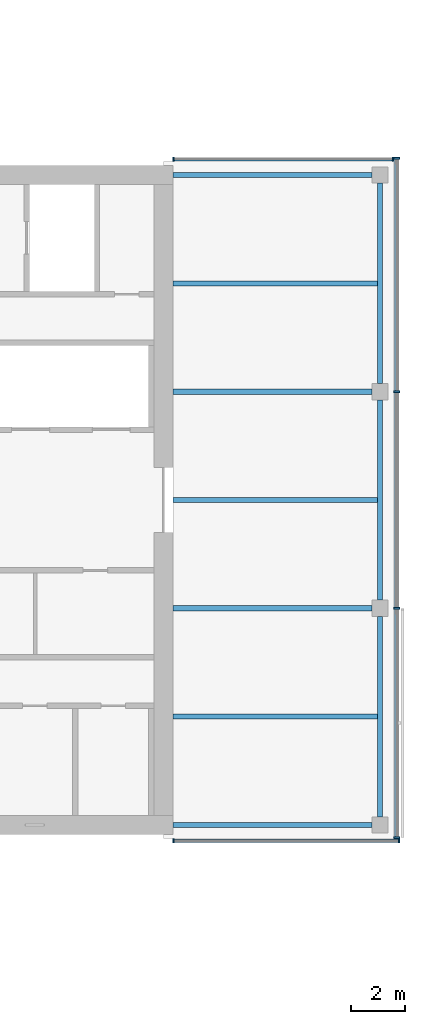
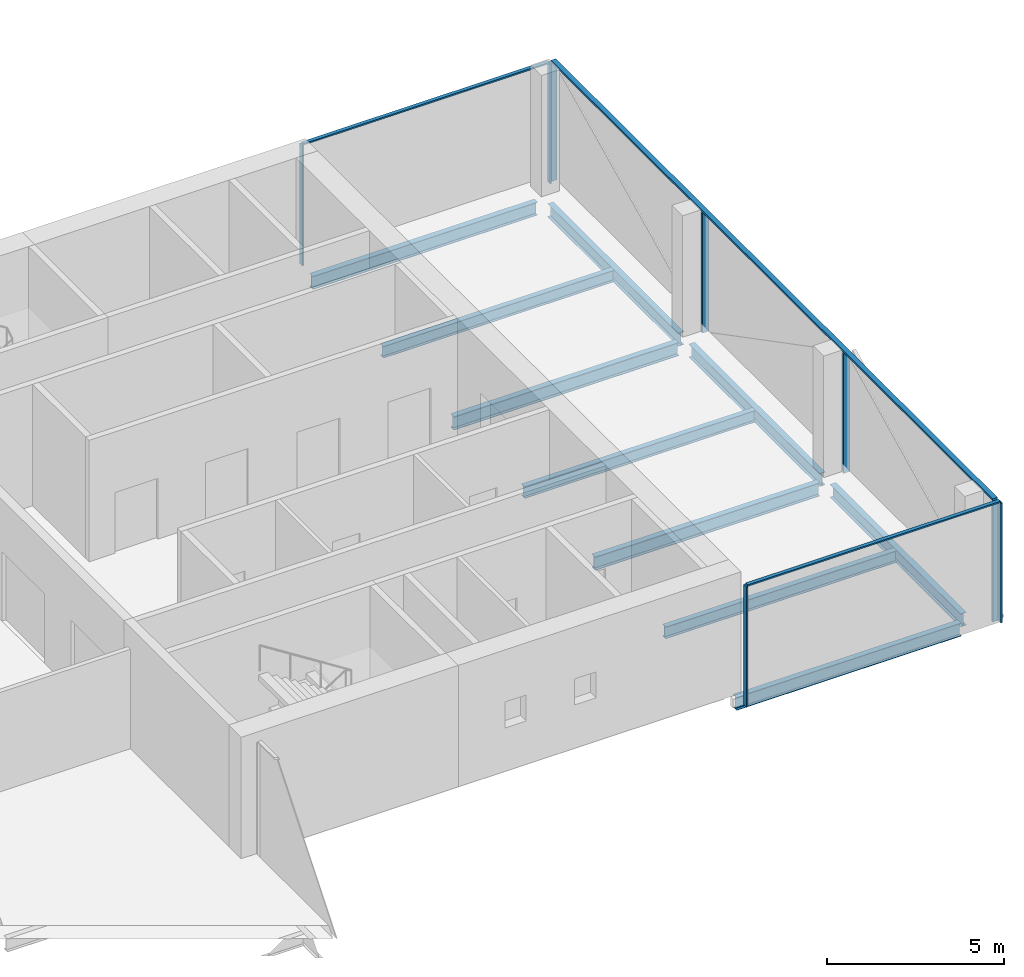
# One storey, part 11 of 22: 11 members, 10 beams, 3 elements without a shape of their own.
"""IFC4 building model written with IfcOpenShell, lengths in metres."""

import ifcopenshell
import ifcopenshell.guid

model = None  # the IFC model being written
_history = None  # IfcOwnerHistory: only IFC2X3 demands one
_inside = {}  # id of a spatial element -> (the spatial element, [elements in it])
_under = {}  # id of a project, library or spatial element -> (it, [spatial elements below it])
_declared = {}  # id of a project -> (the project, [libraries it declares])
_typed = {}  # id of a type object -> (the type object, [elements of that type])
_made_of = {}  # id of a material, layer set ... -> (it, [elements and type objects made of it])


def new_model(schema):
    """Start an empty IFC model of exactly this schema.

    Asked for "IFC4X3", IfcOpenShell would pick the latest addendum, in which some entities
    have other attributes; the version numbers below select the first issue.
    IFC2X3 requires an IfcOwnerHistory on every rooted entity: one is made here for all.
    """
    global model, _history
    if schema == "IFC4X3":
        model = ifcopenshell.file(schema_version=(4, 3, 0, 0))
    else:
        model = ifcopenshell.file(schema=schema)
    _inside.clear()
    _under.clear()
    _declared.clear()
    _typed.clear()
    _made_of.clear()
    _history = None
    if model.schema == "IFC2X3":
        org = make("IfcOrganization", Name="unknown")
        user = make(
            "IfcPersonAndOrganization",
            ThePerson=make("IfcPerson", FamilyName="unknown"),
            TheOrganization=org,
        )
        app = make(
            "IfcApplication",
            ApplicationDeveloper=org,
            Version="unknown",
            ApplicationFullName="unknown",
            ApplicationIdentifier="unknown",
        )
        _history = make(
            "IfcOwnerHistory",
            OwningUser=user,
            OwningApplication=app,
            ChangeAction="ADDED",
            CreationDate=0,
        )
    return model


def make(cls, **values):
    """One entity of the class cls with the attributes given. An attribute that is None is left unset."""
    return model.create_entity(
        cls, **{name: value for name, value in values.items() if value is not None}
    )


def rooted(cls, **values):
    """An entity with a GlobalId (a new one), such as an element, a storey or a relation."""
    return make(cls, GlobalId=ifcopenshell.guid.new(), OwnerHistory=_history, **values)


def si_unit(unit_type, name, prefix=None):
    """IfcSIUnit, for example si_unit("LENGTHUNIT", "METRE", prefix="MILLI")."""
    return make("IfcSIUnit", UnitType=unit_type, Prefix=prefix, Name=name)


def assignment(units):
    """IfcUnitAssignment: the units of a project."""
    return None if units is None else make("IfcUnitAssignment", Units=units)


def point(xyz):
    """IfcCartesianPoint."""
    return None if xyz is None else make("IfcCartesianPoint", Coordinates=xyz)


def direction(xyz):
    """IfcDirection."""
    return None if xyz is None else make("IfcDirection", DirectionRatios=xyz)


def frame(location, z_axis=None, x_axis=None):
    """IfcAxis2Placement3D, a coordinate frame: its origin and axes. An axis left out is left unset."""
    return make(
        "IfcAxis2Placement3D",
        Location=point(location),
        Axis=direction(z_axis),
        RefDirection=direction(x_axis),
    )


def frame_2d(location, x_axis=None):
    """IfcAxis2Placement2D, a coordinate frame in the plane: its origin and x axis."""
    return make(
        "IfcAxis2Placement2D", Location=point(location), RefDirection=direction(x_axis)
    )


def origin():
    """The frame at (0, 0, 0) with its axes left unset."""
    return frame((0.0, 0.0, 0.0))


def origin_2d():
    """The frame at (0, 0) in the plane with its x axis left unset."""
    return frame_2d((0.0, 0.0))


def place(relative_to, where):
    """IfcLocalPlacement: puts the frame where relative to a parent placement (None: the world)."""
    return make(
        "IfcLocalPlacement", PlacementRelTo=relative_to, RelativePlacement=where
    )


def context(
    kind, dimensions, precision=None, world=None, true_north=None, identifier=None
):
    """IfcGeometricRepresentationContext, for example the 3D "Model" context."""
    return make(
        "IfcGeometricRepresentationContext",
        ContextIdentifier=identifier,
        ContextType=kind,
        CoordinateSpaceDimension=dimensions,
        Precision=precision,
        WorldCoordinateSystem=world,
        TrueNorth=true_north,
    )


def subcontext(parent, identifier, kind, view, scale=None):
    """IfcGeometricRepresentationSubContext, for example "Body" below "Model"."""
    return make(
        "IfcGeometricRepresentationSubContext",
        ContextIdentifier=identifier,
        ContextType=kind,
        ParentContext=parent,
        TargetScale=scale,
        TargetView=view,
    )


def project(units=None, contexts=None):
    """IfcProject with its units and contexts."""
    return rooted(
        "IfcProject",
        Name="project",
        RepresentationContexts=contexts,
        UnitsInContext=assignment(units),
    )


def spatial(cls, under=None, at=None, **own):
    """A site, building, storey or space (cls), placed at a placement, below another one or the project."""
    s = rooted(cls, ObjectPlacement=at, **own)
    if under is not None:
        _under.setdefault(under.id(), (under, []))[1].append(s)
    return s


def profile(cls, at=None, kind="AREA", **sizes):
    """A parametric profile (cls). Its sizes go by their IFC names, for example OverallWidth=200.0."""
    return make(cls, ProfileType=kind, Position=at, **sizes)


def rectangle(**sizes):
    """IfcRectangleProfileDef."""
    return profile("IfcRectangleProfileDef", **sizes)


def i_section(**sizes):
    """IfcIShapeProfileDef."""
    return profile("IfcIShapeProfileDef", **sizes)


def extrude(swept, where, along, depth):
    """IfcExtrudedAreaSolid: the profile swept, set in the frame where, extruded along a direction by depth."""
    return make(
        "IfcExtrudedAreaSolid",
        SweptArea=swept,
        Position=where,
        ExtrudedDirection=direction(along),
        Depth=depth,
    )


def shape(context_of_items, identifier, shape_type, items):
    """IfcShapeRepresentation: the items that make up one representation, for example the "Body"."""
    return make(
        "IfcShapeRepresentation",
        ContextOfItems=context_of_items,
        RepresentationIdentifier=identifier,
        RepresentationType=shape_type,
        Items=items,
    )


def material(Name=None, Category=None):
    """IfcMaterial."""
    return make("IfcMaterial", Name=Name, Category=Category)


def material_profile(
    of_material, cross_section, Name=None, Category=None, Priority=None
):
    """IfcMaterialProfile: a cross section and its material."""
    return make(
        "IfcMaterialProfile",
        Name=Name,
        Material=of_material,
        Profile=cross_section,
        Priority=Priority,
        Category=Category,
    )


def profile_set(profiles, Name=None, composite=None):
    """IfcMaterialProfileSet."""
    return make(
        "IfcMaterialProfileSet",
        Name=Name,
        MaterialProfiles=profiles,
        CompositeProfile=composite,
    )


def made_of(thing, what):
    """Note that an element or type object is made of a material, layer set ...; save() writes the relation."""
    if what is not None:
        _made_of.setdefault(what.id(), (what, []))[1].append(thing)
    return thing


def type_object(cls, material=None, **own):
    """A type object (cls), such as IfcWallType, which elements share."""
    return made_of(rooted(cls, **own), material)


def element(
    cls,
    number,
    at=None,
    inside=None,
    cuts=None,
    type_object=None,
    material=None,
    context=None,
    identifier="Body",
    shape_type=None,
    held_by="IfcProductDefinitionShape",
    body=None,
    shapes=None,
    **own,
):
    """One element of the class cls, such as IfcWall. Its Tag is "e" and its number.

    at: its placement. inside: the storey or other place that contains it. cuts: it is an
    opening in that element (IfcRelVoidsElement). A single representation is given by context,
    identifier, shape_type and body (its items); several are given by shapes. held_by: the class
    of the entity that holds the representations. save() writes the other relations.
    """
    e = rooted(cls, Tag="e%d" % number, ObjectPlacement=at, **own)
    if body is not None:
        shapes = [shape(context, identifier, shape_type, body)]
    if shapes is not None:
        e.Representation = make(held_by, Representations=shapes)
    if inside is not None:
        _inside.setdefault(inside.id(), (inside, []))[1].append(e)
    if cuts is not None:
        rooted(
            "IfcRelVoidsElement", RelatingBuildingElement=cuts, RelatedOpeningElement=e
        )
    if type_object is not None:
        _typed.setdefault(type_object.id(), (type_object, []))[1].append(e)
    return made_of(e, material)


def aggregate(whole, parts):
    """IfcRelAggregates: a whole, such as a stair, and the parts it consists of."""
    return rooted("IfcRelAggregates", RelatingObject=whole, RelatedObjects=parts)


def save(model, path):
    """Write the relations noted so far, then the file.

    IfcRelAggregates (storeys below a building ...), IfcRelContainedInSpatialStructure (elements
    in a storey), IfcRelDefinesByType, IfcRelAssociatesMaterial and IfcRelDeclares: one each for
    every whole, place, type object, material and project.
    """
    for whole, parts in _under.values():
        aggregate(whole, parts)
    for where, things in _inside.values():
        rooted(
            "IfcRelContainedInSpatialStructure",
            RelatedElements=things,
            RelatingStructure=where,
        )
    for kind, things in _typed.values():
        rooted("IfcRelDefinesByType", RelatedObjects=things, RelatingType=kind)
    for what, things in _made_of.values():
        rooted("IfcRelAssociatesMaterial", RelatedObjects=things, RelatingMaterial=what)
    for by, libraries in _declared.values():
        rooted("IfcRelDeclares", RelatingContext=by, RelatedDefinitions=libraries)
    model.write(path)


model = new_model("IFC4")

# Units and contexts
model_context = context("Model", 3, precision=1e-05, world=origin(), true_north=direction((0.0, 1.0)))
body_context = subcontext(model_context, "Body", "Model", "MODEL_VIEW")
ifc_project = project(units=[si_unit("LENGTHUNIT", "METRE"), si_unit("AREAUNIT", "SQUARE_METRE"), si_unit("VOLUMEUNIT", "CUBIC_METRE"), si_unit("PLANEANGLEUNIT", "RADIAN"), si_unit("MASSUNIT", "GRAM", prefix="KILO")], contexts=[model_context])

# Site, building, storey
site_placement = place(None, origin())
site = spatial("IfcSite", under=ifc_project, at=site_placement, CompositionType="ELEMENT")
building_placement = place(site_placement, origin())
building = spatial("IfcBuilding", under=site, at=building_placement, Name="Crosswind Convention Tower", CompositionType="ELEMENT")
storey_placement = place(building_placement, frame((0.0, 0.0, 163.10009765625)))
storey = spatial("IfcBuildingStorey", under=building, at=storey_placement, Name="L34", CompositionType="ELEMENT", Elevation=163.10009765625)

# Beams
ifc_material_1 = material(Name="Steel S355", Category="steel")
ifc_material_profile_1 = material_profile(ifc_material_1, i_section(OverallWidth=0.18994140625, OverallDepth=0.45361328125, WebThickness=0.008544921875, FlangeThickness=0.0126953125, FilletRadius=0.01025390625, at=origin_2d()), Name="UB 457x191x67")
ifc_profile_set_1 = profile_set([ifc_material_profile_1], Name="Steel S355")
beam_type_1 = type_object("IfcBeamType", Name="Edge beam UB 457x191x67", PredefinedType="SPANDREL", material=ifc_profile_set_1)
for number, where, z_axis, x_axis, name in (
    (1, (153.35009765625, 88.0, -0.52685546875), (1.0, 0.0, 0.0), (0.0, 1.0, 0.0), "B16 L34 edge beam 20"),
    (2, (153.35009765625, 112.0, -0.52685546875), (1.0, 0.0, 0.0), (0.0, 1.0, 0.0), "B16 L34 edge beam 21"),
):
    element("IfcBeam", number, at=place(storey_placement, frame(where, z_axis=z_axis, x_axis=x_axis)), inside=storey, type_object=beam_type_1, Name=name, PredefinedType="SPANDREL", context=body_context, shape_type="SweptSolid", body=[
        extrude(i_section(OverallWidth=0.18994140625, OverallDepth=0.45361328125, WebThickness=0.008544921875, FlangeThickness=0.0126953125, FilletRadius=0.01025390625, at=origin_2d()), origin(), (0.0, 0.0, 1.0), 7.349853515625),
    ])
for number, where, z_axis, x_axis, name in (
    (3, (161.0, 88.300048828125, -0.52685546875), (0.0, 1.0, 0.0), (-1.0, 0.0, 0.0), "B16 L34 edge beam 22"),
    (4, (161.0, 96.300048828125, -0.52685546875), (0.0, 1.0, 0.0), (-1.0, 0.0, 0.0), "B16 L34 edge beam 23"),
    (5, (161.0, 104.300048828125, -0.52685546875), (0.0, 1.0, 0.0), (-1.0, 0.0, 0.0), "B16 L34 edge beam 24"),
):
    element("IfcBeam", number, at=place(storey_placement, frame(where, z_axis=z_axis, x_axis=x_axis)), inside=storey, type_object=beam_type_1, Name=name, PredefinedType="SPANDREL", context=body_context, shape_type="SweptSolid", body=[
        extrude(i_section(OverallWidth=0.18994140625, OverallDepth=0.45361328125, WebThickness=0.008544921875, FlangeThickness=0.0126953125, FilletRadius=0.01025390625, at=origin_2d()), origin(), (0.0, 0.0, 1.0), 7.39990234375),
    ])
ifc_material_profile_2 = material_profile(ifc_material_1, i_section(OverallWidth=0.19189453125, OverallDepth=0.463623046875, WebThickness=0.010498046875, FlangeThickness=0.017578125, FilletRadius=0.01025390625, at=origin_2d()), Name="UB 457x191x90")
ifc_profile_set_2 = profile_set([ifc_material_profile_2], Name="Steel S355")
beam_type_2 = type_object("IfcBeamType", Name="Girder at core wall UB 457x191x90", PredefinedType="BEAM", material=ifc_profile_set_2)
for number, where, z_axis, x_axis, name in (
    (6, (153.35009765625, 96.0, -0.531982421875), (1.0, 0.0, 0.0), (0.0, 1.0, 0.0), "B24 L34 girder at core wall 11"),
    (7, (153.35009765625, 104.0, -0.531982421875), (1.0, 0.0, 0.0), (0.0, 1.0, 0.0), "B24 L34 girder at core wall 12"),
):
    element("IfcBeam", number, at=place(storey_placement, frame(where, z_axis=z_axis, x_axis=x_axis)), inside=storey, type_object=beam_type_2, Name=name, PredefinedType="BEAM", context=body_context, shape_type="SweptSolid", body=[
        extrude(i_section(OverallWidth=0.19189453125, OverallDepth=0.463623046875, WebThickness=0.010498046875, FlangeThickness=0.017578125, FilletRadius=0.01025390625, at=origin_2d()), origin(), (0.0, 0.0, 1.0), 7.349853515625),
    ])

# Curtain wall, members
ifc_material_2 = material(Name="Aluminium unitised curtain wall", Category="aluminium")
curtain_wall_type_1 = type_object("IfcCurtainWallType", Name="CORE END SLOT WALL 160", PredefinedType="USERDEFINED", material=ifc_material_2)
curtain_wall_1_placement = place(storey_placement, origin())
curtain_wall_1 = element("IfcCurtainWall", 8, at=curtain_wall_1_placement, inside=storey, type_object=curtain_wall_type_1, Name="CW6 L34 E-N.1-1 slot", ObjectType="UNITISED", PredefinedType="USERDEFINED")
ifc_material_3 = material(Name="Aluminium mullion", Category="aluminium")
ifc_material_profile_3 = material_profile(ifc_material_3, rectangle(XDim=0.159912109375, YDim=0.050048828125, at=origin_2d()), Name="AL 160X50")
ifc_profile_set_3 = profile_set([ifc_material_profile_3], Name="Aluminium mullion")
member_type_1 = type_object("IfcMemberType", Name="MULLION 50X160", PredefinedType="MULLION", material=ifc_profile_set_3)
member_1_placement = place(storey_placement, frame((161.47509765625, 112.580078125, -0.300048828125), z_axis=(0.0, 0.0, 1.0), x_axis=(0.0, 1.0, 0.0)))
member_1 = element("IfcMember", 9, at=member_1_placement, type_object=member_type_1, Name="CW6 mullion 1", PredefinedType="MULLION", context=body_context, shape_type="SweptSolid", body=[
    extrude(rectangle(XDim=0.159912109375, YDim=0.050048828125, at=origin_2d()), origin(), (0.0, 0.0, 1.0), 4.14990234375),
])
member_2_placement = place(storey_placement, frame((153.375, 112.580078125, -0.300048828125), z_axis=(0.0, 0.0, 1.0), x_axis=(0.0, 1.0, 0.0)))
member_2 = element("IfcMember", 10, at=member_2_placement, type_object=member_type_1, Name="CW6 mullion 2", PredefinedType="MULLION", context=body_context, shape_type="SweptSolid", body=[
    extrude(rectangle(XDim=0.159912109375, YDim=0.050048828125, at=origin_2d()), origin(), (0.0, 0.0, 1.0), 4.14990234375),
])

curtain_wall_2_placement = place(storey_placement, origin())
curtain_wall_2 = element("IfcCurtainWall", 11, at=curtain_wall_2_placement, inside=storey, type_object=curtain_wall_type_1, Name="CW6 L34 E-S.2-1 slot", ObjectType="UNITISED", PredefinedType="USERDEFINED")
member_3_placement = place(storey_placement, frame((153.375, 87.419921875, -0.300048828125), z_axis=(0.0, 0.0, 1.0), x_axis=(0.0, -1.0, 0.0)))
member_3 = element("IfcMember", 12, at=member_3_placement, type_object=member_type_1, Name="CW6 mullion 1", PredefinedType="MULLION", context=body_context, shape_type="SweptSolid", body=[
    extrude(rectangle(XDim=0.159912109375, YDim=0.050048828125, at=origin_2d()), origin(), (0.0, 0.0, 1.0), 4.14990234375),
])
member_4_placement = place(storey_placement, frame((161.695068359375, 87.419921875, -0.300048828125), z_axis=(0.0, 0.0, 1.0), x_axis=(0.0, -1.0, 0.0)))
member_4 = element("IfcMember", 13, at=member_4_placement, type_object=member_type_1, Name="CW6 mullion 2", PredefinedType="MULLION", context=body_context, shape_type="SweptSolid", body=[
    extrude(rectangle(XDim=0.159912109375, YDim=0.050048828125, at=origin_2d()), origin(), (0.0, 0.0, 1.0), 4.14990234375),
])

curtain_wall_type_2 = type_object("IfcCurtainWallType", Name="OFFICE UNITISED WALL 220", PredefinedType="USERDEFINED", material=ifc_material_2)
curtain_wall_3_placement = place(storey_placement, origin())
curtain_wall_3 = element("IfcCurtainWall", 14, at=curtain_wall_3_placement, inside=storey, type_object=curtain_wall_type_2, Name="CW3 L34 E-TIP 1", ObjectType="UNITISED", PredefinedType="USERDEFINED")
ifc_material_profile_4 = material_profile(ifc_material_3, rectangle(XDim=0.219970703125, YDim=0.070068359375, at=origin_2d()), Name="AL 220X70")
ifc_profile_set_4 = profile_set([ifc_material_profile_4], Name="Aluminium mullion")
member_type_2 = type_object("IfcMemberType", Name="MULLION 70X220", PredefinedType="MULLION", material=ifc_profile_set_4)
member_5_placement = place(storey_placement, frame((161.610107421875, 87.534912109375, -0.300048828125), z_axis=(0.0, 0.0, 1.0), x_axis=(1.0, 0.0, 0.0)))
member_5 = element("IfcMember", 15, at=member_5_placement, type_object=member_type_2, Name="CW3 mullion 1", PredefinedType="MULLION", context=body_context, shape_type="SweptSolid", body=[
    extrude(rectangle(XDim=0.219970703125, YDim=0.070068359375, at=origin_2d()), origin(), (0.0, 0.0, 1.0), 4.1298828125),
])
member_6_placement = place(storey_placement, frame((161.610107421875, 96.0, -0.300048828125), z_axis=(0.0, 0.0, 1.0), x_axis=(1.0, 0.0, 0.0)))
member_6 = element("IfcMember", 16, at=member_6_placement, type_object=member_type_2, Name="CW3 mullion 2", PredefinedType="MULLION", context=body_context, shape_type="SweptSolid", body=[
    extrude(rectangle(XDim=0.219970703125, YDim=0.070068359375, at=origin_2d()), origin(), (0.0, 0.0, 1.0), 4.1298828125),
])
member_7_placement = place(storey_placement, frame((161.610107421875, 104.0, -0.300048828125), z_axis=(0.0, 0.0, 1.0), x_axis=(1.0, 0.0, 0.0)))
member_7 = element("IfcMember", 17, at=member_7_placement, type_object=member_type_2, Name="CW3 mullion 3", PredefinedType="MULLION", context=body_context, shape_type="SweptSolid", body=[
    extrude(rectangle(XDim=0.219970703125, YDim=0.070068359375, at=origin_2d()), origin(), (0.0, 0.0, 1.0), 4.1298828125),
])
member_8_placement = place(storey_placement, frame((161.610107421875, 112.625, -0.300048828125), z_axis=(0.0, 0.0, 1.0), x_axis=(1.0, 0.0, 0.0)))
member_8 = element("IfcMember", 18, at=member_8_placement, type_object=member_type_2, Name="CW3 mullion 4", PredefinedType="MULLION", context=body_context, shape_type="SweptSolid", body=[
    extrude(rectangle(XDim=0.219970703125, YDim=0.070068359375, at=origin_2d()), origin(), (0.0, 0.0, 1.0), 4.1298828125),
])

# Beams
ifc_material_profile_5 = material_profile(ifc_material_1, i_section(OverallWidth=0.177734375, OverallDepth=0.406494140625, WebThickness=0.0078125, FlangeThickness=0.0126953125, FilletRadius=0.01025390625, at=origin_2d()), Name="UB 406x178x60")
ifc_profile_set_5 = profile_set([ifc_material_profile_5], Name="Steel S355")
beam_type_3 = type_object("IfcBeamType", Name="Secondary beam UB 406x178x60", PredefinedType="JOIST", material=ifc_profile_set_5)
for number, where, z_axis, x_axis, name in (
    (19, (153.35009765625, 92.0, -0.50341796875), (1.0, 0.0, 0.0), (0.0, 1.0, 0.0), "B10 L34 secondary beam 25"),
    (20, (153.35009765625, 100.0, -0.50341796875), (1.0, 0.0, 0.0), (0.0, 1.0, 0.0), "B10 L34 secondary beam 26"),
    (21, (153.35009765625, 108.0, -0.50341796875), (1.0, 0.0, 0.0), (0.0, 1.0, 0.0), "B10 L34 secondary beam 27"),
):
    element("IfcBeam", number, at=place(storey_placement, frame(where, z_axis=z_axis, x_axis=x_axis)), inside=storey, type_object=beam_type_3, Name=name, PredefinedType="JOIST", context=body_context, shape_type="SweptSolid", body=[
        extrude(i_section(OverallWidth=0.177734375, OverallDepth=0.406494140625, WebThickness=0.0078125, FlangeThickness=0.0126953125, FilletRadius=0.01025390625, at=origin_2d()), origin(), (0.0, 0.0, 1.0), 7.554931640625),
    ])

# Member
ifc_material_4 = material(Name="Aluminium transom", Category="aluminium")
ifc_material_profile_6 = material_profile(ifc_material_4, rectangle(XDim=0.1201171875, YDim=0.050048828125, at=origin_2d()), Name="AL 120X50")
ifc_profile_set_6 = profile_set([ifc_material_profile_6], Name="Aluminium transom")
member_type_3 = type_object("IfcMemberType", Name="TRANSOM 50X120", PredefinedType="USERDEFINED", material=ifc_profile_set_6)
member_9_placement = place(storey_placement, frame((161.449951171875, 112.580078125, 3.875), z_axis=(-1.0, 0.0, 0.0), x_axis=(0.0, -1.0, 0.0)))
member_9 = element("IfcMember", 22, at=member_9_placement, type_object=member_type_3, Name="CW6 transom", ObjectType="TRANSOM", PredefinedType="USERDEFINED", context=body_context, shape_type="SweptSolid", body=[
    extrude(rectangle(XDim=0.1201171875, YDim=0.050048828125, at=origin_2d()), origin(), (0.0, 0.0, 1.0), 8.050048828125),
])

aggregate(curtain_wall_1, [member_1, member_2, member_9])

member_10_placement = place(storey_placement, frame((153.39990234375, 87.419921875, 3.875), z_axis=(1.0, 0.0, 0.0), x_axis=(0.0, 1.0, 0.0)))
member_10 = element("IfcMember", 23, at=member_10_placement, type_object=member_type_3, Name="CW6 transom", ObjectType="TRANSOM", PredefinedType="USERDEFINED", context=body_context, shape_type="SweptSolid", body=[
    extrude(rectangle(XDim=0.1201171875, YDim=0.050048828125, at=origin_2d()), origin(), (0.0, 0.0, 1.0), 8.27001953125),
])

aggregate(curtain_wall_2, [member_3, member_4, member_10])

ifc_material_profile_7 = material_profile(ifc_material_4, rectangle(XDim=0.159912109375, YDim=0.070068359375, at=origin_2d()), Name="AL 160X70")
ifc_profile_set_7 = profile_set([ifc_material_profile_7], Name="Aluminium transom")
member_type_4 = type_object("IfcMemberType", Name="TRANSOM 70X160", PredefinedType="USERDEFINED", material=ifc_profile_set_7)
member_11_placement = place(storey_placement, frame((161.610107421875, 87.570068359375, 3.864990234375), z_axis=(0.0, 1.0, 0.0), x_axis=(-1.0, 0.0, 0.0)))
member_11 = element("IfcMember", 24, at=member_11_placement, type_object=member_type_4, Name="CW3 transom", ObjectType="TRANSOM", PredefinedType="USERDEFINED", context=body_context, shape_type="SweptSolid", body=[
    extrude(rectangle(XDim=0.159912109375, YDim=0.070068359375, at=origin_2d()), origin(), (0.0, 0.0, 1.0), 25.02001953125),
])

aggregate(curtain_wall_3, [member_5, member_6, member_7, member_8, member_11])

save(model, "model.ifc")
